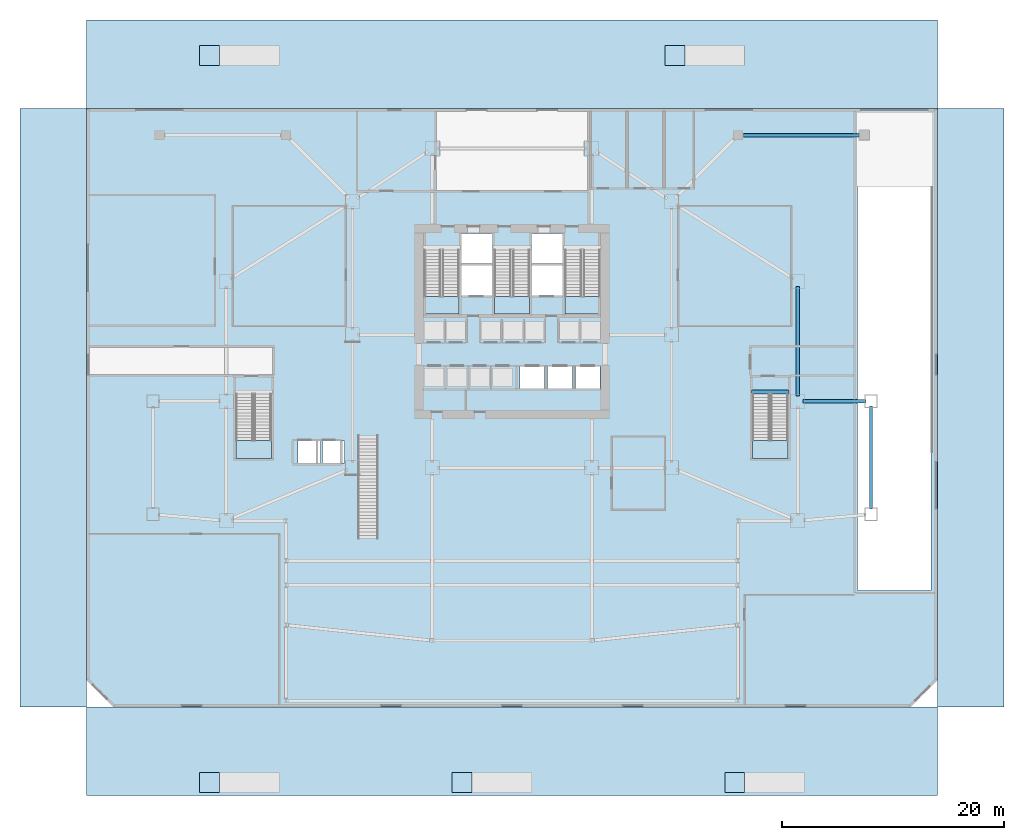
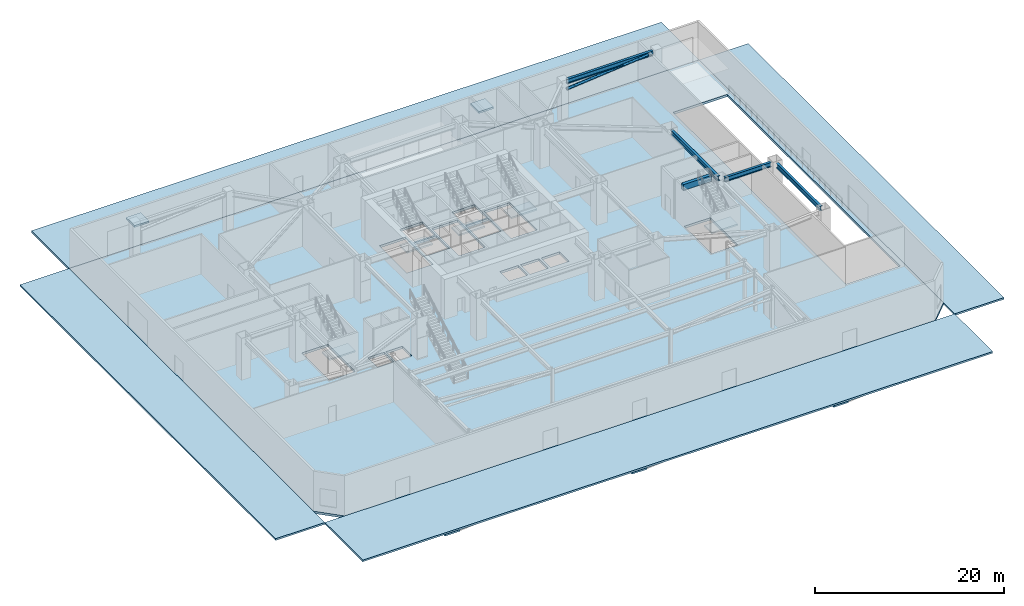
# One storey, part 4 of 20: 15 slabs, 5 beams, 1 member, 5 elements without a shape of their own.
"""IFC4 building model written with IfcOpenShell, lengths in metres."""

from ifc_helpers import new_model, si_unit, direction, frame, origin, origin_2d, place, context, subcontext, project, spatial, polyline, rectangle, hollow_circle, i_section, outline, extrude, material, layer, layer_set, material_profile, profile_set, type_object, element, aggregate, save


model = new_model("IFC4")

# Units and contexts
model_context = context("Model", 3, precision=1e-05, world=origin(), true_north=direction((0.0, 1.0)))
body_context = subcontext(model_context, "Body", "Model", "MODEL_VIEW")
ifc_project = project(units=[si_unit("LENGTHUNIT", "METRE"), si_unit("AREAUNIT", "SQUARE_METRE"), si_unit("VOLUMEUNIT", "CUBIC_METRE"), si_unit("PLANEANGLEUNIT", "RADIAN"), si_unit("MASSUNIT", "GRAM", prefix="KILO")], contexts=[model_context])

# Site, building, storey
site_placement = place(None, origin())
site = spatial("IfcSite", under=ifc_project, at=site_placement, CompositionType="ELEMENT")
building_placement = place(site_placement, origin())
building = spatial("IfcBuilding", under=site, at=building_placement, Name="Haolan Belvedere Tower", CompositionType="ELEMENT")
storey_placement = place(building_placement, origin())
storey = spatial("IfcBuildingStorey", under=building, at=storey_placement, Name="L00", CompositionType="ELEMENT", Elevation=0.0)

# Beams
ifc_material_1 = material(Name="Steel Q355B", Category="steel")
ifc_material_profile_1 = material_profile(ifc_material_1, i_section(OverallWidth=0.300048828125, OverallDepth=0.587890625, WebThickness=0.011962890625, FlangeThickness=0.02001953125, FilletRadius=0.028076171875, at=origin_2d()), Name="Steel Q355B")
ifc_profile_set_1 = profile_set([ifc_material_profile_1], Name="Steel Q355B")
beam_type_1 = type_object("IfcBeamType", Name="BM-HM588x300x12x20", PredefinedType="SPANDREL", material=ifc_profile_set_1)
beam_1_placement = place(storey_placement, frame((64.199951171875, 28.050048828125, 4.865966796875), z_axis=(0.0, 1.0, 0.0), x_axis=(-1.0, 0.0, 0.0)))
element("IfcBeam", 1, at=beam_1_placement, inside=storey, type_object=beam_type_1, Name="L00 spandrel girder MC-T4-ME-MC-T4-NE", PredefinedType="SPANDREL", context=body_context, shape_type="SweptSolid", body=[
    extrude(i_section(OverallWidth=0.300048828125, OverallDepth=0.587890625, WebThickness=0.011962890625, FlangeThickness=0.02001953125, FilletRadius=0.028076171875, at=origin_2d()), origin(), (0.0, 0.0, 1.0), 9.89990234375),
])
beam_2_placement = place(storey_placement, frame((70.800048828125, 17.85009765625, 4.865966796875), z_axis=(0.0, 1.0, 0.0), x_axis=(-1.0, 0.0, 0.0)))
element("IfcBeam", 2, at=beam_2_placement, inside=storey, type_object=beam_type_1, Name="L00 spandrel girder MC-T5-SE-MC-T5-NE", PredefinedType="SPANDREL", context=body_context, shape_type="SweptSolid", body=[
    extrude(i_section(OverallWidth=0.300048828125, OverallDepth=0.587890625, WebThickness=0.011962890625, FlangeThickness=0.02001953125, FilletRadius=0.028076171875, at=origin_2d()), origin(), (0.0, 0.0, 1.0), 9.2998046875),
])
beam_3_placement = place(storey_placement, frame((64.64990234375, 27.60009765625, 4.865966796875), z_axis=(1.0, 0.0, 0.0), x_axis=(0.0, 1.0, 0.0)))
element("IfcBeam", 3, at=beam_3_placement, inside=storey, type_object=beam_type_1, Name="L00 spandrel girder MC-T4-ME-MC-T5-NE", PredefinedType="SPANDREL", context=body_context, shape_type="SweptSolid", body=[
    extrude(i_section(OverallWidth=0.300048828125, OverallDepth=0.587890625, WebThickness=0.011962890625, FlangeThickness=0.02001953125, FilletRadius=0.028076171875, at=origin_2d()), origin(), (0.0, 0.0, 1.0), 5.7001953125),
])
beam_4_placement = place(storey_placement, frame((59.25, 51.60009765625, 4.865966796875), z_axis=(1.0, 0.0, 0.0), x_axis=(0.0, 1.0, 0.0)))
element("IfcBeam", 4, at=beam_4_placement, inside=storey, type_object=beam_type_1, Name="L00 spandrel girder PC-NE-1-PC-NE-2", PredefinedType="SPANDREL", context=body_context, shape_type="SweptSolid", body=[
    extrude(i_section(OverallWidth=0.300048828125, OverallDepth=0.587890625, WebThickness=0.011962890625, FlangeThickness=0.02001953125, FilletRadius=0.028076171875, at=origin_2d()), origin(), (0.0, 0.0, 1.0), 10.5),
])
ifc_material_2 = material(Name="Concrete C50/60", Category="concrete")
ifc_material_profile_2 = material_profile(ifc_material_2, rectangle(XDim=0.39990234375, YDim=0.75, at=origin_2d()), Name="Concrete C50/60")
ifc_profile_set_2 = profile_set([ifc_material_profile_2], Name="Concrete C50/60")
beam_type_2 = type_object("IfcBeamType", Name="BM-RC400x750", PredefinedType="T_BEAM", material=ifc_profile_set_2)
beam_5_placement = place(storey_placement, frame((60.010009765625, 28.429931640625, 5.02490234375), z_axis=(1.0, 0.0, 0.0), x_axis=(0.0, 1.0, 0.0)))
element("IfcBeam", 5, at=beam_5_placement, inside=storey, type_object=beam_type_2, Name="L01 podium stair ST5 RC header trimmer beam", PredefinedType="BEAM", context=body_context, shape_type="SweptSolid", body=[
    extrude(rectangle(XDim=0.39990234375, YDim=0.75, at=origin_2d()), origin(), (0.0, 0.0, 1.0), 3.39990234375),
])

# Member
ifc_material_profile_3 = material_profile(ifc_material_1, hollow_circle(Radius=0.16259765625, WallThickness=0.011962890625, at=origin_2d()), Name="Steel Q355B")
ifc_profile_set_3 = profile_set([ifc_material_profile_3], Name="Steel Q355B")
member_type = type_object("IfcMemberType", Name="MEM-CHS325x12", PredefinedType="BRACE", material=ifc_profile_set_3)
member_placement = place(storey_placement, frame((59.280029296875, 51.60009765625, 3.85009765625), z_axis=(0.995443851169, 0.0, 0.095349563032), x_axis=(0.0, 1.0, 0.0)))
element("IfcMember", 6, at=member_placement, inside=storey, type_object=member_type, Name="L00 podium cascade lateral brace 6", PredefinedType="BRACE", context=body_context, shape_type="SweptSolid", body=[
    extrude(hollow_circle(Radius=0.16259765625, WallThickness=0.011962890625, at=origin_2d()), origin(), (0.0, 0.0, 1.0), 10.48779296875),
])

# Slabs
ifc_material_3 = material(Name="Concrete C40/50", Category="concrete")
ifc_layer_1 = layer(ifc_material_3, 0.22998046875, Name="Concrete C40/50")
ifc_layer_set_1 = layer_set([ifc_layer_1], Name="Concrete C40/50")
slab_type_1 = type_object("IfcSlabType", Name="SL-APR-230", PredefinedType="USERDEFINED", material=ifc_layer_set_1)
slab_1_placement = place(storey_placement, frame((0.0, 0.0, -0.22998046875)))
element("IfcSlab", 7, at=slab_1_placement, inside=storey, type_object=slab_type_1, Name="L00 Covered Arrival Drop-Off Forecourt and Exit Plaza", ObjectType="PAVING", PredefinedType="USERDEFINED", context=body_context, shape_type="SweptSolid", body=[
    extrude(outline(polyline([(0.0, -8.0), (76.800048828125, -8.0), (76.800048828125, 0.0), (0.0, 0.0), (0.0, -8.0)])), origin(), (0.0, 0.0, 1.0), 0.22998046875),
])
slab_2_placement = place(storey_placement, frame((0.0, 0.0, -0.22998046875)))
element("IfcSlab", 8, at=slab_2_placement, inside=storey, type_object=slab_type_1, Name="North vehicle gate driveway and egress apron", ObjectType="PAVING", PredefinedType="USERDEFINED", context=body_context, shape_type="SweptSolid", body=[
    extrude(outline(polyline([(0.0, 54.0), (76.800048828125, 54.0), (76.800048828125, 62.0), (0.0, 62.0), (0.0, 54.0)])), origin(), (0.0, 0.0, 1.0), 0.22998046875),
])
slab_3_placement = place(storey_placement, frame((0.0, 0.0, -0.22998046875)))
element("IfcSlab", 9, at=slab_3_placement, inside=storey, type_object=slab_type_1, Name="West fire-access and exit walkway apron", ObjectType="PAVING", PredefinedType="USERDEFINED", context=body_context, shape_type="SweptSolid", body=[
    extrude(outline(polyline([(-6.0, 0.0), (0.0, 0.0), (0.0, 54.0), (-6.0, 54.0), (-6.0, 0.0)])), origin(), (0.0, 0.0, 1.0), 0.22998046875),
])
slab_4_placement = place(storey_placement, frame((0.0, 0.0, -0.22998046875)))
element("IfcSlab", 10, at=slab_4_placement, inside=storey, type_object=slab_type_1, Name="East service and exit walkway apron", ObjectType="PAVING", PredefinedType="USERDEFINED", context=body_context, shape_type="SweptSolid", body=[
    extrude(outline(polyline([(76.800048828125, 0.0), (82.800048828125, 0.0), (82.800048828125, 54.0), (76.800048828125, 54.0), (76.800048828125, 0.0)])), origin(), (0.0, 0.0, 1.0), 0.22998046875),
])
slab_5_placement = place(storey_placement, frame((0.0, 0.0, -0.679931640625)))
element("IfcSlab", 11, at=slab_5_placement, inside=storey, type_object=slab_type_1, Name="South-west plaza step-free accessible ramp AR-1 lower landing pad", ObjectType="PAVING", PredefinedType="USERDEFINED", context=body_context, shape_type="SweptSolid", body=[
    extrude(outline(polyline([(10.199951171875, -7.699951171875), (12.0, -7.699951171875), (12.0, -5.89990234375), (10.199951171875, -5.89990234375), (10.199951171875, -7.699951171875)])), origin(), (0.0, 0.0, 1.0), 0.22998046875),
])
slab_6_placement = place(storey_placement, frame((0.0, 0.0, -0.679931640625)))
element("IfcSlab", 12, at=slab_6_placement, inside=storey, type_object=slab_type_1, Name="South-east plaza step-free accessible ramp AR-2 lower landing pad", ObjectType="PAVING", PredefinedType="USERDEFINED", context=body_context, shape_type="SweptSolid", body=[
    extrude(outline(polyline([(57.60009765625, -7.699951171875), (59.39990234375, -7.699951171875), (59.39990234375, -5.89990234375), (57.60009765625, -5.89990234375), (57.60009765625, -7.699951171875)])), origin(), (0.0, 0.0, 1.0), 0.22998046875),
])
slab_7_placement = place(storey_placement, frame((0.0, 0.0, -0.679931640625)))
element("IfcSlab", 13, at=slab_7_placement, inside=storey, type_object=slab_type_1, Name="North-west concourse step-free accessible ramp AR-3 lower landing pad", ObjectType="PAVING", PredefinedType="USERDEFINED", context=body_context, shape_type="SweptSolid", body=[
    extrude(outline(polyline([(10.199951171875, 57.89990234375), (12.0, 57.89990234375), (12.0, 59.699951171875), (10.199951171875, 59.699951171875), (10.199951171875, 57.89990234375)])), origin(), (0.0, 0.0, 1.0), 0.22998046875),
])
slab_8_placement = place(storey_placement, frame((0.0, 0.0, -0.679931640625)))
element("IfcSlab", 14, at=slab_8_placement, inside=storey, type_object=slab_type_1, Name="North-east concourse step-free accessible ramp AR-4 lower landing pad", ObjectType="PAVING", PredefinedType="USERDEFINED", context=body_context, shape_type="SweptSolid", body=[
    extrude(outline(polyline([(52.199951171875, 57.89990234375), (54.0, 57.89990234375), (54.0, 59.699951171875), (52.199951171875, 59.699951171875), (52.199951171875, 57.89990234375)])), origin(), (0.0, 0.0, 1.0), 0.22998046875),
])
slab_9_placement = place(storey_placement, frame((0.0, 0.0, -0.679931640625)))
element("IfcSlab", 15, at=slab_9_placement, inside=storey, type_object=slab_type_1, Name="South central arrival plaza step-free accessible ramp AR-5 lower landing pad", ObjectType="PAVING", PredefinedType="USERDEFINED", context=body_context, shape_type="SweptSolid", body=[
    extrude(outline(polyline([(33.0, -7.699951171875), (34.800048828125, -7.699951171875), (34.800048828125, -5.89990234375), (33.0, -5.89990234375), (33.0, -7.699951171875)])), origin(), (0.0, 0.0, 1.0), 0.22998046875),
])
ifc_material_4 = material(Name="Concrete C45/55", Category="concrete")
ifc_layer_2 = layer(ifc_material_4, 0.300048828125, Name="Concrete C45/55")
ifc_layer_set_2 = layer_set([ifc_layer_2], Name="Concrete C45/55")
slab_type_2 = type_object("IfcSlabType", Name="SL-FLR-300", PredefinedType="FLOOR", material=ifc_layer_set_2)
slab_10_placement = place(storey_placement, frame((0.0, 0.0, -0.300048828125)))
element("IfcSlab", 16, at=slab_10_placement, inside=storey, type_object=slab_type_2, Name="L00 structural floor slab", PredefinedType="FLOOR", context=body_context, shape_type="SweptSolid", body=[
    extrude(outline(polyline([(2.39990234375, 0.0), (74.39990234375, 0.0), (76.800048828125, 2.39990234375), (76.800048828125, 54.0), (0.0, 54.0), (0.0, 2.39990234375), (2.39990234375, 0.0)]), holes=[polyline([(30.449951171875, 41.22998046875), (30.449951171875, 35.449951171875), (33.6298828125, 35.449951171875), (33.6298828125, 41.22998046875), (30.449951171875, 41.22998046875)]), polyline([(36.81005859375, 41.22998046875), (36.81005859375, 35.449951171875), (39.989990234375, 35.449951171875), (39.989990234375, 41.22998046875), (36.81005859375, 41.22998046875)]), polyline([(43.169921875, 41.22998046875), (43.169921875, 35.449951171875), (46.35009765625, 35.449951171875), (46.35009765625, 41.22998046875), (43.169921875, 41.22998046875)]), polyline([(13.5, 28.22998046875), (13.5, 22.449951171875), (16.679931640625, 22.449951171875), (16.679931640625, 28.22998046875), (13.5, 28.22998046875)]), polyline([(60.1201171875, 28.22998046875), (60.1201171875, 22.449951171875), (63.300048828125, 22.449951171875), (63.300048828125, 28.22998046875), (60.1201171875, 28.22998046875)]), polyline([(33.830078125, 40.050048828125), (36.610107421875, 40.050048828125), (36.610107421875, 42.75), (33.830078125, 42.75), (33.830078125, 40.050048828125)]), polyline([(33.830078125, 37.14990234375), (36.610107421875, 37.14990234375), (36.610107421875, 39.85009765625), (33.830078125, 39.85009765625), (33.830078125, 37.14990234375)]), polyline([(40.18994140625, 40.050048828125), (42.969970703125, 40.050048828125), (42.969970703125, 42.75), (40.18994140625, 42.75), (40.18994140625, 40.050048828125)]), polyline([(40.18994140625, 37.14990234375), (42.969970703125, 37.14990234375), (42.969970703125, 39.85009765625), (40.18994140625, 39.85009765625), (40.18994140625, 37.14990234375)]), polyline([(39.10009765625, 28.75), (41.340087890625, 28.75), (41.340087890625, 30.75), (39.10009765625, 30.75), (39.10009765625, 28.75)]), polyline([(41.610107421875, 28.75), (43.85009765625, 28.75), (43.85009765625, 30.75), (41.610107421875, 30.75), (41.610107421875, 28.75)]), polyline([(44.1201171875, 28.75), (46.360107421875, 28.75), (46.360107421875, 30.75), (44.1201171875, 30.75), (44.1201171875, 28.75)]), polyline([(19.10009765625, 22.0), (21.10009765625, 22.0), (21.10009765625, 24.0), (19.10009765625, 24.0), (19.10009765625, 22.0)]), polyline([(21.300048828125, 22.0), (23.300048828125, 22.0), (23.300048828125, 24.0), (21.300048828125, 24.0), (21.300048828125, 22.0)]), polyline([(69.60009765625, 10.5), (76.199951171875, 10.5), (76.199951171875, 47.0), (69.60009765625, 47.0), (69.60009765625, 10.5)])]), origin(), (0.0, 0.0, 1.0), 0.300048828125),
])

# Stair, slab
stair_type = type_object("IfcStairType", Name="STR-DL-32R-169", PredefinedType="HALF_TURN_STAIR", material=ifc_material_3)
stair_1_placement = place(storey_placement, origin())
stair_1 = element("IfcStair", 17, at=stair_1_placement, inside=storey, type_object=stair_type, Name="L00 Smokeproof Core Exit Stair ST1", PredefinedType="HALF_TURN_STAIR")
ifc_layer_3 = layer(ifc_material_3, 0.199951171875, Name="Concrete C40/50")
ifc_layer_set_3 = layer_set([ifc_layer_3], Name="Concrete C40/50")
slab_type_3 = type_object("IfcSlabType", Name="SL-LAND-200", PredefinedType="LANDING", material=ifc_layer_set_3)
slab_11_placement = place(storey_placement, frame((0.0, 0.0, 2.5)))
slab_11 = element("IfcSlab", 18, at=slab_11_placement, type_object=slab_type_3, Name="ST1 landing 1", PredefinedType="LANDING", context=body_context, shape_type="SweptSolid", body=[
    extrude(outline(polyline([(30.449951171875, 37.030029296875), (30.449951171875, 35.449951171875), (33.6298828125, 35.449951171875), (33.6298828125, 37.030029296875), (30.449951171875, 37.030029296875)])), origin(), (0.0, 0.0, 1.0), 0.199951171875),
])
aggregate(stair_1, [slab_11])

stair_2_placement = place(storey_placement, origin())
stair_2 = element("IfcStair", 19, at=stair_2_placement, inside=storey, type_object=stair_type, Name="L00 Smokeproof Core Exit Stair ST3", PredefinedType="HALF_TURN_STAIR")
slab_12_placement = place(storey_placement, frame((0.0, 0.0, 2.5)))
slab_12 = element("IfcSlab", 20, at=slab_12_placement, type_object=slab_type_3, Name="ST3 landing 1", PredefinedType="LANDING", context=body_context, shape_type="SweptSolid", body=[
    extrude(outline(polyline([(36.81005859375, 37.030029296875), (36.81005859375, 35.449951171875), (39.989990234375, 35.449951171875), (39.989990234375, 37.030029296875), (36.81005859375, 37.030029296875)])), origin(), (0.0, 0.0, 1.0), 0.199951171875),
])
aggregate(stair_2, [slab_12])

stair_3_placement = place(storey_placement, origin())
stair_3 = element("IfcStair", 21, at=stair_3_placement, inside=storey, type_object=stair_type, Name="L00 Smokeproof Core Exit Stair ST2", PredefinedType="HALF_TURN_STAIR")
slab_13_placement = place(storey_placement, frame((0.0, 0.0, 2.5)))
slab_13 = element("IfcSlab", 22, at=slab_13_placement, type_object=slab_type_3, Name="ST2 landing 1", PredefinedType="LANDING", context=body_context, shape_type="SweptSolid", body=[
    extrude(outline(polyline([(43.169921875, 37.030029296875), (43.169921875, 35.449951171875), (46.35009765625, 35.449951171875), (46.35009765625, 37.030029296875), (43.169921875, 37.030029296875)])), origin(), (0.0, 0.0, 1.0), 0.199951171875),
])
aggregate(stair_3, [slab_13])

stair_4_placement = place(storey_placement, origin())
stair_4 = element("IfcStair", 23, at=stair_4_placement, inside=storey, type_object=stair_type, Name="L00 West Podium Protected Exit Stair ST4", PredefinedType="HALF_TURN_STAIR")
slab_14_placement = place(storey_placement, frame((0.0, 0.0, 2.5)))
slab_14 = element("IfcSlab", 24, at=slab_14_placement, type_object=slab_type_3, Name="ST4 landing 1", PredefinedType="LANDING", context=body_context, shape_type="SweptSolid", body=[
    extrude(outline(polyline([(13.5, 24.030029296875), (13.5, 22.449951171875), (16.679931640625, 22.449951171875), (16.679931640625, 24.030029296875), (13.5, 24.030029296875)])), origin(), (0.0, 0.0, 1.0), 0.199951171875),
])
aggregate(stair_4, [slab_14])

stair_5_placement = place(storey_placement, origin())
stair_5 = element("IfcStair", 25, at=stair_5_placement, inside=storey, type_object=stair_type, Name="L00 East Podium Protected Exit Stair ST5", PredefinedType="HALF_TURN_STAIR")
slab_15_placement = place(storey_placement, frame((0.0, 0.0, 2.5)))
slab_15 = element("IfcSlab", 26, at=slab_15_placement, type_object=slab_type_3, Name="ST5 landing 1", PredefinedType="LANDING", context=body_context, shape_type="SweptSolid", body=[
    extrude(outline(polyline([(60.1201171875, 24.030029296875), (60.1201171875, 22.449951171875), (63.300048828125, 22.449951171875), (63.300048828125, 24.030029296875), (60.1201171875, 24.030029296875)])), origin(), (0.0, 0.0, 1.0), 0.199951171875),
])
aggregate(stair_5, [slab_15])

save(model, "model.ifc")
